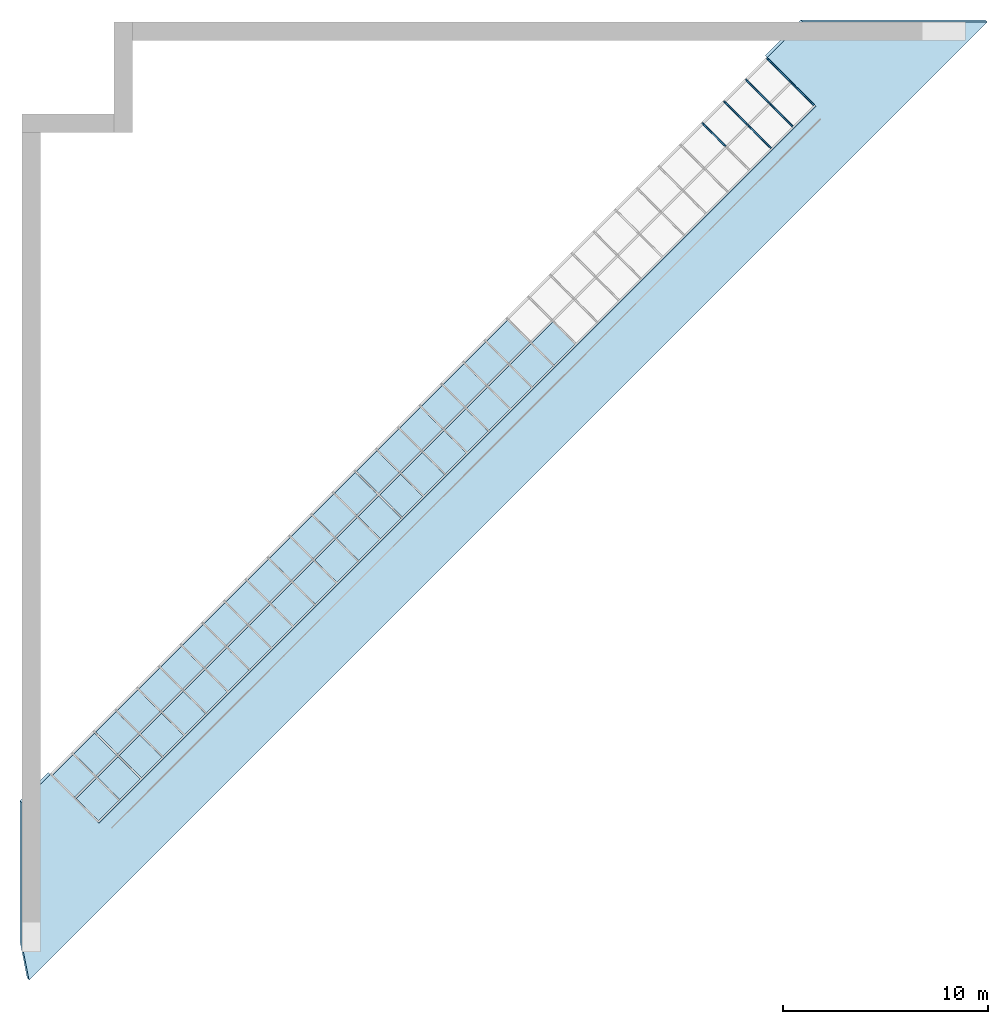
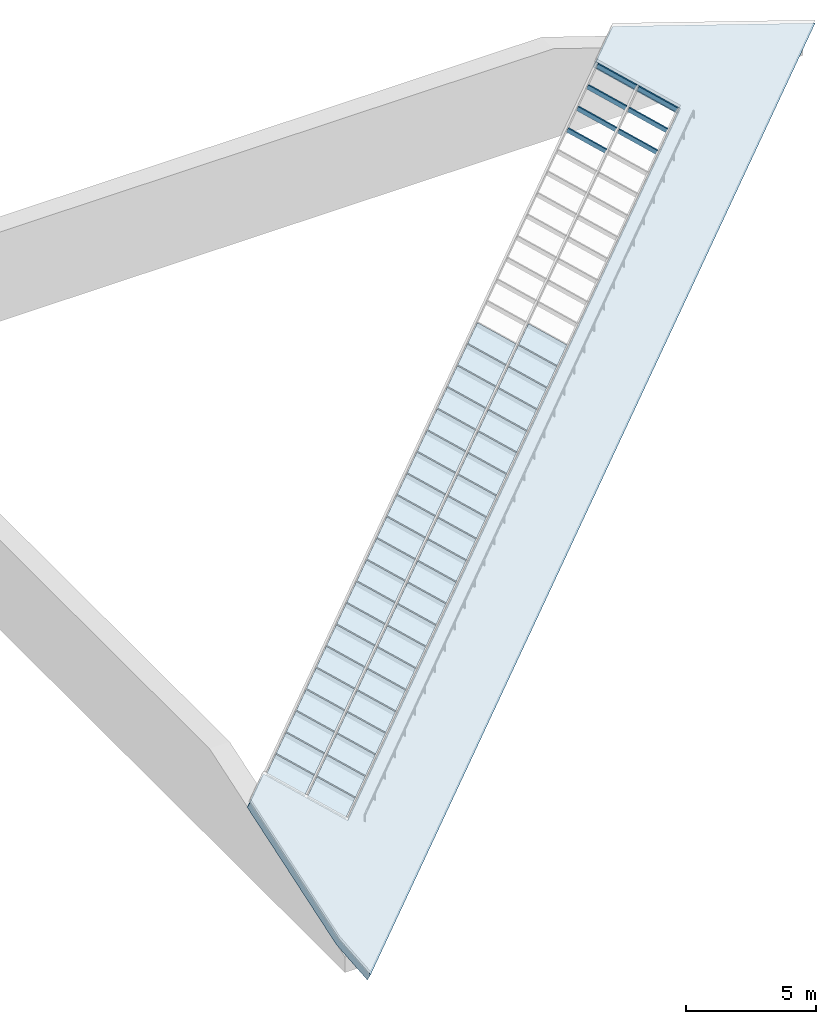
# One storey, part 2 of 4: 43 plates, 7 members, 1 slab, 1 element without a shape of its own.
"""IFC4 building model written with IfcOpenShell, lengths in metres."""

from ifc_helpers import new_model, si_unit, direction, frame, origin, origin_2d, place, context, subcontext, project, spatial, polyline, rectangle, outline, extrude, material, layer, layer_set, material_profile, profile_set, type_object, element, aggregate, save


model = new_model("IFC4")

# Units and contexts
model_context = context("Model", 3, precision=1e-05, world=origin(), true_north=direction((0.0, 1.0)))
body_context = subcontext(model_context, "Body", "Model", "MODEL_VIEW")
ifc_project = project(units=[si_unit("LENGTHUNIT", "METRE"), si_unit("AREAUNIT", "SQUARE_METRE"), si_unit("VOLUMEUNIT", "CUBIC_METRE"), si_unit("PLANEANGLEUNIT", "RADIAN"), si_unit("MASSUNIT", "GRAM", prefix="KILO")], contexts=[model_context])

# Site, building, storey
site_placement = place(None, origin())
site = spatial("IfcSite", under=ifc_project, at=site_placement, CompositionType="ELEMENT")
building_placement = place(site_placement, origin())
building = spatial("IfcBuilding", under=site, at=building_placement, Name="Hunhe Ridgeline Campus", CompositionType="ELEMENT")
storey_placement = place(building_placement, frame((0.0, 0.0, 319.800048828125)))
storey = spatial("IfcBuildingStorey", under=building, at=storey_placement, Name="L82 Crown", CompositionType="ELEMENT", Elevation=319.800048828125)

# Curtain wall, members
ifc_material_1 = material(Name="Aluminium 6063", Category="aluminium")
curtain_wall_type = type_object("IfcCurtainWallType", Name="Curtain wall CW-6", PredefinedType="NOTDEFINED", material=ifc_material_1)
curtain_wall_placement = place(storey_placement, origin())
curtain_wall = element("IfcCurtainWall", 1, at=curtain_wall_placement, inside=storey, type_object=curtain_wall_type, Name="Rooflight 5", PredefinedType="NOTDEFINED")
ifc_material_profile = material_profile(ifc_material_1, rectangle(XDim=0.070068359375, YDim=0.199951171875, at=origin_2d()))
ifc_profile_set = profile_set([ifc_material_profile], Name="Aluminium 6063")
member_type = type_object("IfcMemberType", Name="CW-6 aluminium mullion", PredefinedType="MULLION", material=ifc_profile_set)
member_1_placement = place(storey_placement, frame((38.63525390625, 94.958251953125, 1.97119140625), z_axis=(-0.639503873019, 0.639648002808, 0.426480045135), x_axis=(-0.707186450701, -0.707027102695, 0.0)))
member_1 = element("IfcMember", 2, at=member_1_placement, type_object=member_type, Name="E-L82 Crown-RL-05/M0-00", PredefinedType="MULLION", context=body_context, shape_type="SweptSolid", body=[
    extrude(rectangle(XDim=0.070068359375, YDim=0.199951171875, at=origin_2d()), origin(), (0.0, 0.0, 1.0), 1.69384765625),
])
member_2_placement = place(storey_placement, frame((37.599365234375, 93.92236328125, 1.97119140625), z_axis=(-0.639562831882, 0.639562831882, 0.426519364332), x_axis=(-0.707106781187, -0.707106781187, 0.0)))
member_2 = element("IfcMember", 3, at=member_2_placement, type_object=member_type, Name="E-L82 Crown-RL-05/M0-01", PredefinedType="MULLION", context=body_context, shape_type="SweptSolid", body=[
    extrude(rectangle(XDim=0.070068359375, YDim=0.199951171875, at=origin_2d()), origin(), (0.0, 0.0, 1.0), 1.69384765625),
])
member_3_placement = place(storey_placement, frame((36.538818359375, 92.86181640625, 1.97119140625), z_axis=(-0.639562831882, 0.639562831882, 0.426519364332), x_axis=(-0.707106781187, -0.707106781187, 0.0)))
member_3 = element("IfcMember", 4, at=member_3_placement, type_object=member_type, Name="E-L82 Crown-RL-05/M0-02", PredefinedType="MULLION", context=body_context, shape_type="SweptSolid", body=[
    extrude(rectangle(XDim=0.070068359375, YDim=0.199951171875, at=origin_2d()), origin(), (0.0, 0.0, 1.0), 1.69384765625),
])
member_4_placement = place(storey_placement, frame((37.4814453125, 96.1123046875, 2.74072265625), z_axis=(-0.639687317978, 0.63954317933, 0.426362119554), x_axis=(-0.707027102695, -0.707186450701, 0.0)))
member_4 = element("IfcMember", 5, at=member_4_placement, type_object=member_type, Name="E-L82 Crown-RL-05/M1-00", PredefinedType="MULLION", context=body_context, shape_type="SweptSolid", body=[
    extrude(rectangle(XDim=0.070068359375, YDim=0.199951171875, at=origin_2d()), origin(), (0.0, 0.0, 1.0), 1.69384765625),
])
member_5_placement = place(storey_placement, frame((36.4453125, 95.076416015625, 2.74072265625), z_axis=(-0.639602149067, 0.639602149067, 0.426401432711), x_axis=(-0.707106781187, -0.707106781187, 0.0)))
member_5 = element("IfcMember", 6, at=member_5_placement, type_object=member_type, Name="E-L82 Crown-RL-05/M1-01", PredefinedType="MULLION", context=body_context, shape_type="SweptSolid", body=[
    extrude(rectangle(XDim=0.070068359375, YDim=0.199951171875, at=origin_2d()), origin(), (0.0, 0.0, 1.0), 1.693603515625),
])
member_6_placement = place(storey_placement, frame((35.384765625, 94.015869140625, 2.74072265625), z_axis=(-0.639602149067, 0.639602149067, 0.426401432711), x_axis=(-0.707106781187, -0.707106781187, 0.0)))
member_6 = element("IfcMember", 7, at=member_6_placement, type_object=member_type, Name="E-L82 Crown-RL-05/M1-02", PredefinedType="MULLION", context=body_context, shape_type="SweptSolid", body=[
    extrude(rectangle(XDim=0.070068359375, YDim=0.199951171875, at=origin_2d()), origin(), (0.0, 0.0, 1.0), 1.693603515625),
])
member_7_placement = place(storey_placement, frame((34.32421875, 92.955078125, 2.74072265625), z_axis=(-0.639687317978, 0.63954317933, 0.426362119554), x_axis=(-0.707027102695, -0.707186450701, 0.0)))
member_7 = element("IfcMember", 8, at=member_7_placement, type_object=member_type, Name="E-L82 Crown-RL-05/M1-03", PredefinedType="MULLION", context=body_context, shape_type="SweptSolid", body=[
    extrude(rectangle(XDim=0.070068359375, YDim=0.199951171875, at=origin_2d()), origin(), (0.0, 0.0, 1.0), 1.69384765625),
])

# Slab
ifc_material_2 = material(Name="Concrete C40", Category="concrete")
ifc_layer_1 = layer(ifc_material_2, 0.300048828125)
ifc_layer_set_1 = layer_set([ifc_layer_1], Name="Roof slab 300 Concrete C40")
slab_type = type_object("IfcSlabType", Name="Roof slab 300 Concrete C40", PredefinedType="ROOF", material=ifc_layer_set_1)
slab_placement = place(storey_placement, frame((0.0, 54.0, 1.307373046875), z_axis=(0.301519731724, -0.301521260305, 0.904527932662), x_axis=(0.18168096681, -0.913128207884, -0.364950547698)))
element("IfcSlab", 9, at=slab_placement, inside=storey, type_object=slab_type, Name="Crown roof slab 7", PredefinedType="ROOF", context=body_context, shape_type="SweptSolid", body=[
    extrude(outline(polyline([(0.0, 0.0), (1.937578335647127, -5.551115123125783e-17), (-32.27168768752017, 56.60793717836185), (-35.00166803190334, 47.52238781079549), (-33.72967127941977, 45.417545450047186), (-30.546790518593617, 47.3410215578784), (-4.944708473098046, 4.975860870560743), (-8.1275892339242, 3.052384762729523), (-7.117920605741957, 1.3816310483295597), (0.0, 0.0)])), origin(), (0.0, 0.0, -1.0), 0.300048828125),
])

# Plate
ifc_material_3 = material(Name="Low-e laminated glass", Category="glass")
ifc_layer_2 = layer(ifc_material_3, 0.0400390625)
ifc_layer_set_2 = layer_set([ifc_layer_2], Name="Rooflight glass panel 40 low-e laminated")
plate_type = type_object("IfcPlateType", Name="Rooflight glass panel 40 low-e laminated", PredefinedType="CURTAIN_PANEL", material=ifc_layer_set_2)
plate_1_placement = place(storey_placement, frame((26.998291015625, 83.260986328125, 2.061767578125), z_axis=(0.301511344578, -0.301511344578, 0.904534033733), x_axis=(-0.639602149067, 0.639602149067, 0.426401432711)))
plate_1 = element("IfcPlate", 10, at=plate_1_placement, type_object=plate_type, Name="Rooflight panel 1.12", PredefinedType="CURTAIN_PANEL", context=body_context, shape_type="SweptSolid", body=[
    extrude(outline(polyline([(0.0, 0.0), (1.6936340109323371, 0.0), (1.693634010932337, 1.4300958435911524), (0.0, 1.4300958435911524), (0.0, 0.0)])), origin(), (0.0, 0.0, -1.0), 0.0400390625),
])

plate_2_placement = place(storey_placement, frame((25.9375, 82.2001953125, 2.061767578125), z_axis=(0.301474942954, -0.301547745403, 0.904534032535), x_axis=(-0.639602149067, 0.639602149067, 0.426401432711)))
plate_2 = element("IfcPlate", 11, at=plate_2_placement, type_object=plate_type, Name="Rooflight panel 1.13", PredefinedType="CURTAIN_PANEL", context=body_context, shape_type="SweptSolid", body=[
    extrude(outline(polyline([(0.0, 0.0), (1.6936340109323371, -3.6469850576981155e-17), (1.6937901638007615, 1.4299232119943701), (0.00015615286842451948, 1.4299232119943701), (0.0, 0.0)])), origin(), (0.0, 0.0, -1.0), 0.0400390625),
])

plate_3_placement = place(storey_placement, frame((24.876953125, 81.1396484375, 2.061767578125), z_axis=(0.301511344578, -0.301511344578, 0.904534033733), x_axis=(-0.639602149067, 0.639602149067, 0.426401432711)))
plate_3 = element("IfcPlate", 12, at=plate_3_placement, type_object=plate_type, Name="Rooflight panel 1.14", PredefinedType="CURTAIN_PANEL", context=body_context, shape_type="SweptSolid", body=[
    extrude(outline(polyline([(0.0, 0.0), (1.6936340109323371, 0.0), (1.693634010932337, 1.4300958435911524), (0.0, 1.4300958435911524), (0.0, 0.0)])), origin(), (0.0, 0.0, -1.0), 0.0400390625),
])

plate_4_placement = place(storey_placement, frame((23.816162109375, 80.078857421875, 2.061767578125), z_axis=(0.301483547543, -0.301483547543, 0.904552564046), x_axis=(-0.63954317933, 0.639687317978, 0.426362119554)))
plate_4 = element("IfcPlate", 13, at=plate_4_placement, type_object=plate_type, Name="Rooflight panel 1.15", PredefinedType="CURTAIN_PANEL", context=body_context, shape_type="SweptSolid", body=[
    extrude(outline(polyline([(0.0, 0.0), (1.6937901741978365, -3.077778917143226e-17), (1.6936444168056752, 1.4300958361632525), (-0.00014572220206188202, 1.4297505691820445), (0.0, 0.0)])), origin(), (0.0, 0.0, -1.0), 0.0400390625),
])

plate_5_placement = place(storey_placement, frame((22.755615234375, 79.018310546875, 2.061767578125), z_axis=(0.301511344578, -0.301511344578, 0.904534033733), x_axis=(-0.639602149067, 0.639602149067, 0.426401432711)))
plate_5 = element("IfcPlate", 14, at=plate_5_placement, type_object=plate_type, Name="Rooflight panel 1.16", PredefinedType="CURTAIN_PANEL", context=body_context, shape_type="SweptSolid", body=[
    extrude(outline(polyline([(0.0, 0.0), (1.6936340109323371, 0.0), (1.693634010932337, 1.4300958435911524), (0.0, 1.4300958435911524), (0.0, 0.0)])), origin(), (0.0, 0.0, -1.0), 0.0400390625),
])

plate_6_placement = place(storey_placement, frame((21.69482421875, 77.957763671875, 2.061767578125), z_axis=(0.301547745403, -0.301474942954, 0.904534032535), x_axis=(-0.639602149067, 0.639602149067, 0.426401432711)))
plate_6 = element("IfcPlate", 15, at=plate_6_placement, type_object=plate_type, Name="Rooflight panel 1.17", PredefinedType="CURTAIN_PANEL", context=body_context, shape_type="SweptSolid", body=[
    extrude(outline(polyline([(0.0, 0.0), (1.6936340109323371, 3.6469850576981155e-17), (1.6934778580639125, 1.4299232119943703), (-0.00015615286842451948, 1.4299232119943701), (0.0, 0.0)])), origin(), (0.0, 0.0, -1.0), 0.0400390625),
])

plate_7_placement = place(storey_placement, frame((20.63427734375, 76.89697265625, 2.061767578125), z_axis=(0.301511344578, -0.301511344578, 0.904534033733), x_axis=(-0.639602149067, 0.639602149067, 0.426401432711)))
plate_7 = element("IfcPlate", 16, at=plate_7_placement, type_object=plate_type, Name="Rooflight panel 1.18", PredefinedType="CURTAIN_PANEL", context=body_context, shape_type="SweptSolid", body=[
    extrude(outline(polyline([(0.0, 0.0), (1.6936340109323371, 0.0), (1.693634010932337, 1.4300958435911524), (0.0, 1.4300958435911524), (0.0, 0.0)])), origin(), (0.0, 0.0, -1.0), 0.0400390625),
])

plate_8_placement = place(storey_placement, frame((19.573486328125, 75.83642578125, 2.061767578125), z_axis=(0.301547745403, -0.301474942954, 0.904534032535), x_axis=(-0.639602149067, 0.639602149067, 0.426401432711)))
plate_8 = element("IfcPlate", 17, at=plate_8_placement, type_object=plate_type, Name="Rooflight panel 1.19", PredefinedType="CURTAIN_PANEL", context=body_context, shape_type="SweptSolid", body=[
    extrude(outline(polyline([(0.0, 0.0), (1.6936340109323371, 3.6469850576981155e-17), (1.6934778580639125, 1.4299232119943703), (-0.00015615286842451948, 1.4299232119943701), (0.0, 0.0)])), origin(), (0.0, 0.0, -1.0), 0.0400390625),
])

plate_9_placement = place(storey_placement, frame((18.512939453125, 74.775634765625, 2.061767578125), z_axis=(0.301479245877, -0.301515643227, 0.90454329979), x_axis=(-0.639608700975, 0.639608701766, 0.426381775248)))
plate_9 = element("IfcPlate", 18, at=plate_9_placement, type_object=plate_type, Name="Rooflight panel 1.20", PredefinedType="CURTAIN_PANEL", context=body_context, shape_type="SweptSolid", body=[
    extrude(outline(polyline([(0.0, 0.0), (1.6936340105324015, -2.110128478199913e-17), (1.6937901642007342, 1.4299232115205895), (-7.998715023660452e-10, 1.4300958431175164), (0.0, 0.0)])), origin(), (0.0, 0.0, -1.0), 0.0400390625),
])

plate_10_placement = place(storey_placement, frame((17.4521484375, 73.715087890625, 2.061767578125), z_axis=(0.301547745403, -0.301474942954, 0.904534032535), x_axis=(-0.639602149067, 0.639602149067, 0.426401432711)))
plate_10 = element("IfcPlate", 19, at=plate_10_placement, type_object=plate_type, Name="Rooflight panel 1.21", PredefinedType="CURTAIN_PANEL", context=body_context, shape_type="SweptSolid", body=[
    extrude(outline(polyline([(0.0, 0.0), (1.6936340109323371, 3.6469850576981155e-17), (1.6934778580639125, 1.4299232119943703), (-0.00015615286842451948, 1.4299232119943701), (0.0, 0.0)])), origin(), (0.0, 0.0, -1.0), 0.0400390625),
])

plate_11_placement = place(storey_placement, frame((16.3916015625, 72.654296875, 2.061767578125), z_axis=(0.301474942954, -0.301547745403, 0.904534032535), x_axis=(-0.639602149067, 0.639602149067, 0.426401432711)))
plate_11 = element("IfcPlate", 20, at=plate_11_placement, type_object=plate_type, Name="Rooflight panel 1.22", PredefinedType="CURTAIN_PANEL", context=body_context, shape_type="SweptSolid", body=[
    extrude(outline(polyline([(0.0, 0.0), (1.6936340109323371, -3.6469850576981155e-17), (1.6937901638007615, 1.4299232119943701), (0.00015615286842451948, 1.4299232119943701), (0.0, 0.0)])), origin(), (0.0, 0.0, -1.0), 0.0400390625),
])

plate_12_placement = place(storey_placement, frame((15.3310546875, 71.59375, 2.061767578125), z_axis=(0.301515643227, -0.301479245877, 0.90454329979), x_axis=(-0.639680766185, 0.639536628329, 0.426381775406)))
plate_12 = element("IfcPlate", 21, at=plate_12_placement, type_object=plate_type, Name="Rooflight panel 1.23", PredefinedType="CURTAIN_PANEL", context=body_context, shape_type="SweptSolid", body=[
    extrude(outline(polyline([(0.0, 0.0), (1.6937901737979375, 9.269928574751063e-17), (1.6937797583282785, 1.4299232200089778), (0.0001457565923979054, 1.430095835689698), (0.0, 0.0)])), origin(), (0.0, 0.0, -1.0), 0.0400390625),
])

plate_13_placement = place(storey_placement, frame((14.270263671875, 70.532958984375, 2.061767578125), z_axis=(0.301474942954, -0.301547745403, 0.904534032535), x_axis=(-0.639602149067, 0.639602149067, 0.426401432711)))
plate_13 = element("IfcPlate", 22, at=plate_13_placement, type_object=plate_type, Name="Rooflight panel 1.24", PredefinedType="CURTAIN_PANEL", context=body_context, shape_type="SweptSolid", body=[
    extrude(outline(polyline([(0.0, 0.0), (1.6936340109323371, -3.6469850576981155e-17), (1.6937901638007615, 1.4299232119943701), (0.00015615286842451948, 1.4299232119943701), (0.0, 0.0)])), origin(), (0.0, 0.0, -1.0), 0.0400390625),
])

plate_14_placement = place(storey_placement, frame((13.209716796875, 69.472412109375, 2.061767578125), z_axis=(0.301511344578, -0.301511344578, 0.904534033733), x_axis=(-0.639602149067, 0.639602149067, 0.426401432711)))
plate_14 = element("IfcPlate", 23, at=plate_14_placement, type_object=plate_type, Name="Rooflight panel 1.25", PredefinedType="CURTAIN_PANEL", context=body_context, shape_type="SweptSolid", body=[
    extrude(outline(polyline([(0.0, 0.0), (1.6936340109323371, 0.0), (1.693634010932337, 1.4300958435911524), (0.0, 1.4300958435911524), (0.0, 0.0)])), origin(), (0.0, 0.0, -1.0), 0.0400390625),
])

plate_15_placement = place(storey_placement, frame((12.14892578125, 68.41162109375, 2.061767578125), z_axis=(0.301474942954, -0.301547745403, 0.904534032535), x_axis=(-0.639602149067, 0.639602149067, 0.426401432711)))
plate_15 = element("IfcPlate", 24, at=plate_15_placement, type_object=plate_type, Name="Rooflight panel 1.26", PredefinedType="CURTAIN_PANEL", context=body_context, shape_type="SweptSolid", body=[
    extrude(outline(polyline([(0.0, 0.0), (1.6936340109323371, -3.6469850576981155e-17), (1.6937901638007615, 1.4299232119943701), (0.00015615286842451948, 1.4299232119943701), (0.0, 0.0)])), origin(), (0.0, 0.0, -1.0), 0.0400390625),
])

plate_16_placement = place(storey_placement, frame((11.08837890625, 67.35107421875, 2.061767578125), z_axis=(0.301511344578, -0.301511344578, 0.904534033733), x_axis=(-0.639602149067, 0.639602149067, 0.426401432711)))
plate_16 = element("IfcPlate", 25, at=plate_16_placement, type_object=plate_type, Name="Rooflight panel 1.27", PredefinedType="CURTAIN_PANEL", context=body_context, shape_type="SweptSolid", body=[
    extrude(outline(polyline([(0.0, 0.0), (1.6936340109323371, 0.0), (1.693634010932337, 1.4300958435911524), (0.0, 1.4300958435911524), (0.0, 0.0)])), origin(), (0.0, 0.0, -1.0), 0.0400390625),
])

plate_17_placement = place(storey_placement, frame((10.027587890625, 66.290283203125, 2.061767578125), z_axis=(0.301483547543, -0.301483547543, 0.904552564046), x_axis=(-0.63954317933, 0.639687317978, 0.426362119554)))
plate_17 = element("IfcPlate", 26, at=plate_17_placement, type_object=plate_type, Name="Rooflight panel 1.28", PredefinedType="CURTAIN_PANEL", context=body_context, shape_type="SweptSolid", body=[
    extrude(outline(polyline([(0.0, 0.0), (1.6937901741978365, -3.077778917143226e-17), (1.6936444168056752, 1.4300958361632525), (-0.00014572220206188202, 1.4297505691820445), (0.0, 0.0)])), origin(), (0.0, 0.0, -1.0), 0.0400390625),
])

plate_18_placement = place(storey_placement, frame((8.967041015625, 65.229736328125, 2.061767578125), z_axis=(0.301511344578, -0.301511344578, 0.904534033733), x_axis=(-0.639602149067, 0.639602149067, 0.426401432711)))
plate_18 = element("IfcPlate", 27, at=plate_18_placement, type_object=plate_type, Name="Rooflight panel 1.29", PredefinedType="CURTAIN_PANEL", context=body_context, shape_type="SweptSolid", body=[
    extrude(outline(polyline([(0.0, 0.0), (1.6936340109323371, 0.0), (1.693634010932337, 1.4300958435911524), (0.0, 1.4300958435911524), (0.0, 0.0)])), origin(), (0.0, 0.0, -1.0), 0.0400390625),
])

plate_19_placement = place(storey_placement, frame((7.90625, 64.169189453125, 2.061767578125), z_axis=(0.301547745403, -0.301474942954, 0.904534032535), x_axis=(-0.639602149067, 0.639602149067, 0.426401432711)))
plate_19 = element("IfcPlate", 28, at=plate_19_placement, type_object=plate_type, Name="Rooflight panel 1.30", PredefinedType="CURTAIN_PANEL", context=body_context, shape_type="SweptSolid", body=[
    extrude(outline(polyline([(0.0, 0.0), (1.6936340109323371, 3.6469850576981155e-17), (1.6934778580639125, 1.4299232119943703), (-0.00015615286842451948, 1.4299232119943701), (0.0, 0.0)])), origin(), (0.0, 0.0, -1.0), 0.0400390625),
])

plate_20_placement = place(storey_placement, frame((6.845703125, 63.1083984375, 2.061767578125), z_axis=(0.301511344578, -0.301511344578, 0.904534033733), x_axis=(-0.639602149067, 0.639602149067, 0.426401432711)))
plate_20 = element("IfcPlate", 29, at=plate_20_placement, type_object=plate_type, Name="Rooflight panel 1.31", PredefinedType="CURTAIN_PANEL", context=body_context, shape_type="SweptSolid", body=[
    extrude(outline(polyline([(0.0, 0.0), (1.6936340109323371, 0.0), (1.693634010932337, 1.4300958435911524), (0.0, 1.4300958435911524), (0.0, 0.0)])), origin(), (0.0, 0.0, -1.0), 0.0400390625),
])

plate_21_placement = place(storey_placement, frame((5.784912109375, 62.0478515625, 2.061767578125), z_axis=(0.301547745403, -0.301474942954, 0.904534032535), x_axis=(-0.639602149067, 0.639602149067, 0.426401432711)))
plate_21 = element("IfcPlate", 30, at=plate_21_placement, type_object=plate_type, Name="Rooflight panel 1.32", PredefinedType="CURTAIN_PANEL", context=body_context, shape_type="SweptSolid", body=[
    extrude(outline(polyline([(0.0, 0.0), (1.6936340109323371, 3.6469850576981155e-17), (1.6934778580639125, 1.4299232119943703), (-0.00015615286842451948, 1.4299232119943701), (0.0, 0.0)])), origin(), (0.0, 0.0, -1.0), 0.0400390625),
])

plate_22_placement = place(storey_placement, frame((4.724365234375, 60.987060546875, 2.061767578125), z_axis=(0.30147879038, -0.301516102112, 0.904543298642), x_axis=(-0.639608700164, 0.639608700975, 0.42638177765)))
plate_22 = element("IfcPlate", 31, at=plate_22_placement, type_object=plate_type, Name="Rooflight panel 1.33", PredefinedType="CURTAIN_PANEL", context=body_context, shape_type="SweptSolid", body=[
    extrude(outline(polyline([(0.0, 0.0), (1.693634010532499, -1.0401564592282808e-16), (1.6937901642006365, 1.3950512462731017), (-7.996759920914087e-10, 1.39487861083955), (0.0, 0.0)])), origin(), (0.0, 0.0, -1.0), 0.0400390625),
])

plate_23_placement = place(storey_placement, frame((24.783447265625, 83.354248046875, 2.8310546875), z_axis=(0.301631145719, -0.301558323134, 0.904478429638), x_axis=(-0.639562831882, 0.639562831882, 0.426519364332)))
plate_23 = element("IfcPlate", 32, at=plate_23_placement, type_object=plate_type, Name="Rooflight panel 2.13", PredefinedType="CURTAIN_PANEL", context=body_context, shape_type="SweptSolid", body=[
    extrude(outline(polyline([(0.0, 0.0), (1.6937381272410124, 1.9522415368317114e-16), (1.69358198397151, 1.4299232119954186), (-0.00015614326950241786, 1.4299232119954184), (0.0, 0.0)])), origin(), (0.0, 0.0, -1.0), 0.0400390625),
])

plate_24_placement = place(storey_placement, frame((23.722900390625, 82.293701171875, 2.8310546875), z_axis=(0.301594734826, -0.301594734826, 0.904478430837), x_axis=(-0.639562831882, 0.639562831882, 0.426519364332)))
plate_24 = element("IfcPlate", 33, at=plate_24_placement, type_object=plate_type, Name="Rooflight panel 2.14", PredefinedType="CURTAIN_PANEL", context=body_context, shape_type="SweptSolid", body=[
    extrude(outline(polyline([(0.0, 0.0), (1.6937381272410124, 0.0), (1.6937381272410126, 1.4300958435911522), (0.0, 1.4300958435911522), (0.0, 0.0)])), origin(), (0.0, 0.0, -1.0), 0.0400390625),
])

plate_25_placement = place(storey_placement, frame((22.662353515625, 81.23291015625, 2.8310546875), z_axis=(0.301566933522, -0.301566933522, 0.904496970262), x_axis=(-0.639648002808, 0.639503873019, 0.426480045135)))
plate_25 = element("IfcPlate", 34, at=plate_25_placement, type_object=plate_type, Name="Rooflight panel 2.15", PredefinedType="CURTAIN_PANEL", context=body_context, shape_type="SweptSolid", body=[
    extrude(outline(polyline([(0.0, 0.0), (1.6938942809078354, 2.0796352920987582e-17), (1.6940399941538136, 1.4297505691829575), (0.00014574843391479408, 1.4300958361641656), (0.0, 0.0)])), origin(), (0.0, 0.0, -1.0), 0.0400390625),
])

plate_26_placement = place(storey_placement, frame((21.6015625, 80.17236328125, 2.8310546875), z_axis=(0.301594734826, -0.301594734826, 0.904478430837), x_axis=(-0.639562831882, 0.639562831882, 0.426519364332)))
plate_26 = element("IfcPlate", 35, at=plate_26_placement, type_object=plate_type, Name="Rooflight panel 2.16", PredefinedType="CURTAIN_PANEL", context=body_context, shape_type="SweptSolid", body=[
    extrude(outline(polyline([(0.0, 0.0), (1.6937381272410124, 0.0), (1.6937381272410126, 1.4300958435911522), (0.0, 1.4300958435911522), (0.0, 0.0)])), origin(), (0.0, 0.0, -1.0), 0.0400390625),
])

plate_27_placement = place(storey_placement, frame((20.541015625, 79.111572265625, 2.8310546875), z_axis=(0.301558323134, -0.301631145719, 0.904478429638), x_axis=(-0.639562831882, 0.639562831882, 0.426519364332)))
plate_27 = element("IfcPlate", 36, at=plate_27_placement, type_object=plate_type, Name="Rooflight panel 2.17", PredefinedType="CURTAIN_PANEL", context=body_context, shape_type="SweptSolid", body=[
    extrude(outline(polyline([(0.0, 0.0), (1.6937381272410124, -1.9522415368317114e-16), (1.6938942705105149, 1.4299232119954182), (0.00015614326950241786, 1.4299232119954184), (0.0, 0.0)])), origin(), (0.0, 0.0, -1.0), 0.0400390625),
])

plate_28_placement = place(storey_placement, frame((19.480224609375, 78.051025390625, 2.8310546875), z_axis=(0.301594734826, -0.301594734826, 0.904478430837), x_axis=(-0.639562831882, 0.639562831882, 0.426519364332)))
plate_28 = element("IfcPlate", 37, at=plate_28_placement, type_object=plate_type, Name="Rooflight panel 2.18", PredefinedType="CURTAIN_PANEL", context=body_context, shape_type="SweptSolid", body=[
    extrude(outline(polyline([(0.0, 0.0), (1.6937381272410124, 0.0), (1.6937381272410126, 1.4300958435911522), (0.0, 1.4300958435911522), (0.0, 0.0)])), origin(), (0.0, 0.0, -1.0), 0.0400390625),
])

plate_29_placement = place(storey_placement, frame((18.419677734375, 76.990234375, 2.8310546875), z_axis=(0.301558323134, -0.301631145719, 0.904478429638), x_axis=(-0.639562831882, 0.639562831882, 0.426519364332)))
plate_29 = element("IfcPlate", 38, at=plate_29_placement, type_object=plate_type, Name="Rooflight panel 2.19", PredefinedType="CURTAIN_PANEL", context=body_context, shape_type="SweptSolid", body=[
    extrude(outline(polyline([(0.0, 0.0), (1.6937381272410124, -1.9522415368317114e-16), (1.6938942705105149, 1.4299232119954182), (0.00015614326950241786, 1.4299232119954184), (0.0, 0.0)])), origin(), (0.0, 0.0, -1.0), 0.0400390625),
])

plate_30_placement = place(storey_placement, frame((17.35888671875, 75.9296875, 2.8310546875), z_axis=(0.301599036374, -0.301562628957, 0.90448770145), x_axis=(-0.639569387803, 0.639569387012, 0.426499703849)))
plate_30 = element("IfcPlate", 39, at=plate_30_placement, type_object=plate_type, Name="Rooflight panel 2.20", PredefinedType="CURTAIN_PANEL", context=body_context, shape_type="SweptSolid", body=[
    extrude(outline(polyline([(0.0, 0.0), (1.6937381268408798, -1.7556621304329334e-16), (1.6937381276411447, 1.4300958431172541), (-0.00015614406980413165, 1.4299232115213758), (0.0, 0.0)])), origin(), (0.0, 0.0, -1.0), 0.0400390625),
])

plate_31_placement = place(storey_placement, frame((16.29833984375, 74.868896484375, 2.8310546875), z_axis=(0.301558323134, -0.301631145719, 0.904478429638), x_axis=(-0.639562831882, 0.639562831882, 0.426519364332)))
plate_31 = element("IfcPlate", 40, at=plate_31_placement, type_object=plate_type, Name="Rooflight panel 2.21", PredefinedType="CURTAIN_PANEL", context=body_context, shape_type="SweptSolid", body=[
    extrude(outline(polyline([(0.0, 0.0), (1.6937381272410124, -1.9522415368317114e-16), (1.6938942705105149, 1.4299232119954182), (0.00015614326950241786, 1.4299232119954184), (0.0, 0.0)])), origin(), (0.0, 0.0, -1.0), 0.0400390625),
])

plate_32_placement = place(storey_placement, frame((15.237548828125, 73.808349609375, 2.8310546875), z_axis=(0.301631145719, -0.301558323134, 0.904478429638), x_axis=(-0.639562831882, 0.639562831882, 0.426519364332)))
plate_32 = element("IfcPlate", 41, at=plate_32_placement, type_object=plate_type, Name="Rooflight panel 2.22", PredefinedType="CURTAIN_PANEL", context=body_context, shape_type="SweptSolid", body=[
    extrude(outline(polyline([(0.0, 0.0), (1.6937381272410124, 1.9522415368317114e-16), (1.69358198397151, 1.4299232119954186), (-0.00015614326950241786, 1.4299232119954184), (0.0, 0.0)])), origin(), (0.0, 0.0, -1.0), 0.0400390625),
])

plate_33_placement = place(storey_placement, frame((14.177001953125, 72.74755859375, 2.8310546875), z_axis=(0.301562628957, -0.301599036374, 0.90448770145), x_axis=(-0.639497318796, 0.639641447793, 0.426499704007)))
plate_33 = element("IfcPlate", 42, at=plate_33_placement, type_object=plate_type, Name="Rooflight panel 2.23", PredefinedType="CURTAIN_PANEL", context=body_context, shape_type="SweptSolid", body=[
    extrude(outline(polyline([(0.0, 0.0), (1.69389428050774, -2.6793346187548028e-17), (1.693748532873982, 1.4300958356903488), (1.041482908203939e-05, 1.4299232200087202), (0.0, 0.0)])), origin(), (0.0, 0.0, -1.0), 0.0400390625),
])

plate_34_placement = place(storey_placement, frame((13.1162109375, 71.68701171875, 2.8310546875), z_axis=(0.301631145719, -0.301558323134, 0.904478429638), x_axis=(-0.639562831882, 0.639562831882, 0.426519364332)))
plate_34 = element("IfcPlate", 43, at=plate_34_placement, type_object=plate_type, Name="Rooflight panel 2.24", PredefinedType="CURTAIN_PANEL", context=body_context, shape_type="SweptSolid", body=[
    extrude(outline(polyline([(0.0, 0.0), (1.6937381272410124, 1.9522415368317114e-16), (1.69358198397151, 1.4299232119954186), (-0.00015614326950241786, 1.4299232119954184), (0.0, 0.0)])), origin(), (0.0, 0.0, -1.0), 0.0400390625),
])

plate_35_placement = place(storey_placement, frame((12.0556640625, 70.62646484375, 2.8310546875), z_axis=(0.301594734826, -0.301594734826, 0.904478430837), x_axis=(-0.639562831882, 0.639562831882, 0.426519364332)))
plate_35 = element("IfcPlate", 44, at=plate_35_placement, type_object=plate_type, Name="Rooflight panel 2.25", PredefinedType="CURTAIN_PANEL", context=body_context, shape_type="SweptSolid", body=[
    extrude(outline(polyline([(0.0, 0.0), (1.6937381272410124, 0.0), (1.6937381272410126, 1.4300958435911522), (0.0, 1.4300958435911522), (0.0, 0.0)])), origin(), (0.0, 0.0, -1.0), 0.0400390625),
])

plate_36_placement = place(storey_placement, frame((10.994873046875, 69.565673828125, 2.8310546875), z_axis=(0.301631145719, -0.301558323134, 0.904478429638), x_axis=(-0.639562831882, 0.639562831882, 0.426519364332)))
plate_36 = element("IfcPlate", 45, at=plate_36_placement, type_object=plate_type, Name="Rooflight panel 2.26", PredefinedType="CURTAIN_PANEL", context=body_context, shape_type="SweptSolid", body=[
    extrude(outline(polyline([(0.0, 0.0), (1.6937381272410124, 1.9522415368317114e-16), (1.69358198397151, 1.4299232119954186), (-0.00015614326950241786, 1.4299232119954184), (0.0, 0.0)])), origin(), (0.0, 0.0, -1.0), 0.0400390625),
])

plate_37_placement = place(storey_placement, frame((9.934326171875, 68.505126953125, 2.8310546875), z_axis=(0.301594734826, -0.301594734826, 0.904478430837), x_axis=(-0.639562831882, 0.639562831882, 0.426519364332)))
plate_37 = element("IfcPlate", 46, at=plate_37_placement, type_object=plate_type, Name="Rooflight panel 2.27", PredefinedType="CURTAIN_PANEL", context=body_context, shape_type="SweptSolid", body=[
    extrude(outline(polyline([(0.0, 0.0), (1.6937381272410124, 0.0), (1.6937381272410126, 1.4300958435911522), (0.0, 1.4300958435911522), (0.0, 0.0)])), origin(), (0.0, 0.0, -1.0), 0.0400390625),
])

plate_38_placement = place(storey_placement, frame((8.873779296875, 67.4443359375, 2.8310546875), z_axis=(0.301566933522, -0.301566933522, 0.904496970262), x_axis=(-0.639648002808, 0.639503873019, 0.426480045135)))
plate_38 = element("IfcPlate", 47, at=plate_38_placement, type_object=plate_type, Name="Rooflight panel 2.28", PredefinedType="CURTAIN_PANEL", context=body_context, shape_type="SweptSolid", body=[
    extrude(outline(polyline([(0.0, 0.0), (1.6938942809078354, 2.0796352920987582e-17), (1.6940399941538136, 1.4297505691829575), (0.00014574843391479408, 1.4300958361641656), (0.0, 0.0)])), origin(), (0.0, 0.0, -1.0), 0.0400390625),
])

plate_39_placement = place(storey_placement, frame((7.81298828125, 66.3837890625, 2.8310546875), z_axis=(0.301594734826, -0.301594734826, 0.904478430837), x_axis=(-0.639562831882, 0.639562831882, 0.426519364332)))
plate_39 = element("IfcPlate", 48, at=plate_39_placement, type_object=plate_type, Name="Rooflight panel 2.29", PredefinedType="CURTAIN_PANEL", context=body_context, shape_type="SweptSolid", body=[
    extrude(outline(polyline([(0.0, 0.0), (1.6937381272410124, 0.0), (1.6937381272410126, 1.4300958435911522), (0.0, 1.4300958435911522), (0.0, 0.0)])), origin(), (0.0, 0.0, -1.0), 0.0400390625),
])

plate_40_placement = place(storey_placement, frame((6.75244140625, 65.322998046875, 2.8310546875), z_axis=(0.301558323134, -0.301631145719, 0.904478429638), x_axis=(-0.639562831882, 0.639562831882, 0.426519364332)))
plate_40 = element("IfcPlate", 49, at=plate_40_placement, type_object=plate_type, Name="Rooflight panel 2.30", PredefinedType="CURTAIN_PANEL", context=body_context, shape_type="SweptSolid", body=[
    extrude(outline(polyline([(0.0, 0.0), (1.6937381272410124, -1.9522415368317114e-16), (1.6938942705105149, 1.4299232119954182), (0.00015614326950241786, 1.4299232119954184), (0.0, 0.0)])), origin(), (0.0, 0.0, -1.0), 0.0400390625),
])

plate_41_placement = place(storey_placement, frame((5.691650390625, 64.262451171875, 2.8310546875), z_axis=(0.301594734826, -0.301594734826, 0.904478430837), x_axis=(-0.639562831882, 0.639562831882, 0.426519364332)))
plate_41 = element("IfcPlate", 50, at=plate_41_placement, type_object=plate_type, Name="Rooflight panel 2.31", PredefinedType="CURTAIN_PANEL", context=body_context, shape_type="SweptSolid", body=[
    extrude(outline(polyline([(0.0, 0.0), (1.6937381272410124, 0.0), (1.6937381272410126, 1.4300958435911522), (0.0, 1.4300958435911522), (0.0, 0.0)])), origin(), (0.0, 0.0, -1.0), 0.0400390625),
])

plate_42_placement = place(storey_placement, frame((4.631103515625, 63.20166015625, 2.8310546875), z_axis=(0.301558323134, -0.301631145719, 0.904478429638), x_axis=(-0.639562831882, 0.639562831882, 0.426519364332)))
plate_42 = element("IfcPlate", 51, at=plate_42_placement, type_object=plate_type, Name="Rooflight panel 2.32", PredefinedType="CURTAIN_PANEL", context=body_context, shape_type="SweptSolid", body=[
    extrude(outline(polyline([(0.0, 0.0), (1.6937381272410124, -1.9522415368317114e-16), (1.6938942705105149, 1.4299232119954182), (0.00015614326950241786, 1.4299232119954184), (0.0, 0.0)])), origin(), (0.0, 0.0, -1.0), 0.0400390625),
])

plate_43_placement = place(storey_placement, frame((3.5703125, 62.14111328125, 2.8310546875), z_axis=(0.301599495385, -0.301562173334, 0.904487700302), x_axis=(-0.639569387012, 0.6395693862, 0.426499706252)))
plate_43 = element("IfcPlate", 52, at=plate_43_placement, type_object=plate_type, Name="Rooflight panel 2.33", PredefinedType="CURTAIN_PANEL", context=body_context, shape_type="SweptSolid", body=[
    extrude(outline(polyline([(0.0, 0.0), (1.6937381268409775, -5.1011712215442984e-17), (1.6937381276410468, 1.3948786108392812), (-0.00015614406960862137, 1.3950512462739075), (0.0, 0.0)])), origin(), (0.0, 0.0, -1.0), 0.0400390625),
])

aggregate(curtain_wall, [member_1, member_2, member_3, plate_1, plate_2, plate_3, plate_4, plate_5, plate_6, plate_7, plate_8, plate_9, plate_10, plate_11, plate_12, plate_13, plate_14, plate_15, plate_16, plate_17, plate_18, plate_19, plate_20, plate_21, plate_22, member_4, member_5, member_6, member_7, plate_23, plate_24, plate_25, plate_26, plate_27, plate_28, plate_29, plate_30, plate_31, plate_32, plate_33, plate_34, plate_35, plate_36, plate_37, plate_38, plate_39, plate_40, plate_41, plate_42, plate_43])

save(model, "model.ifc")
